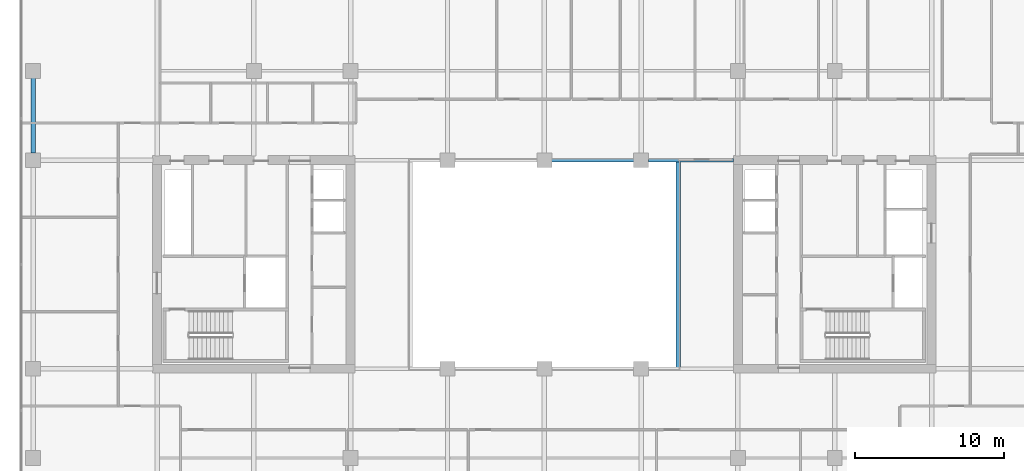
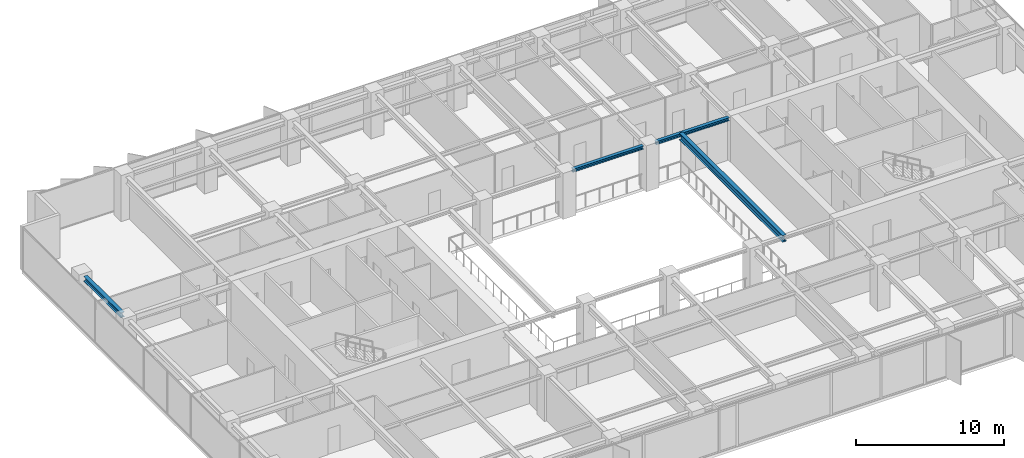
# One storey, part 7 of 22: 4 beams.
"""IFC4 building model written with IfcOpenShell, lengths in metres."""

from ifc_helpers import new_model, si_unit, direction, frame, origin, origin_2d, place, context, subcontext, project, spatial, i_section, extrude, material, material_profile, profile_set, type_object, element, save


model = new_model("IFC4")

# Units and contexts
model_context = context("Model", 3, precision=1e-05, world=origin(), true_north=direction((0.0, 1.0)))
body_context = subcontext(model_context, "Body", "Model", "MODEL_VIEW")
ifc_project = project(units=[si_unit("LENGTHUNIT", "METRE"), si_unit("AREAUNIT", "SQUARE_METRE"), si_unit("VOLUMEUNIT", "CUBIC_METRE"), si_unit("PLANEANGLEUNIT", "RADIAN"), si_unit("MASSUNIT", "GRAM", prefix="KILO")], contexts=[model_context])

# Site, building, storey
site_placement = place(None, origin())
site = spatial("IfcSite", under=ifc_project, at=site_placement, CompositionType="ELEMENT")
building_placement = place(site_placement, origin())
building = spatial("IfcBuilding", under=site, at=building_placement, Name="Putna Gate Headquarters", CompositionType="ELEMENT")
storey_placement = place(building_placement, frame((0.0, 0.0, 186.0)))
storey = spatial("IfcBuildingStorey", under=building, at=storey_placement, Name="L46", CompositionType="ELEMENT", Elevation=186.0)

# Beams
ifc_material = material(Name="Steel S355J2", Category="steel")
ifc_material_profile_1 = material_profile(ifc_material, i_section(OverallWidth=0.260009765625, OverallDepth=0.260009765625, WebThickness=0.010009765625, FlangeThickness=0.017578125, at=origin_2d()), Name="Steel S355J2")
ifc_profile_set_1 = profile_set([ifc_material_profile_1], Name="Steel S355J2")
beam_type_1 = type_object("IfcBeamType", Name="BM-ATRIUM-HEB260", PredefinedType="BEAM", material=ifc_profile_set_1)
beam_1_placement = place(storey_placement, frame((39.488037109375, 33.0, 3.44189453125), z_axis=(1.0, 0.0, 0.0), x_axis=(0.0, 1.0, 0.0)))
element("IfcBeam", 1, at=beam_1_placement, inside=storey, type_object=beam_type_1, Name="L46 Atrium Edge Beam AN3", PredefinedType="BEAM", context=body_context, shape_type="SweptSolid", body=[
    extrude(i_section(OverallWidth=0.260009765625, OverallDepth=0.260009765625, WebThickness=0.010009765625, FlangeThickness=0.017578125, at=origin_2d()), origin(), (0.0, 0.0, 1.0), 5.52392578125),
])
beam_2_placement = place(storey_placement, frame((45.988037109375, 33.0, 3.44189453125), z_axis=(1.0, 0.0, 0.0), x_axis=(0.0, 1.0, 0.0)))
element("IfcBeam", 2, at=beam_2_placement, inside=storey, type_object=beam_type_1, Name="L46 Atrium Edge Beam AN4", PredefinedType="BEAM", context=body_context, shape_type="SweptSolid", body=[
    extrude(i_section(OverallWidth=0.260009765625, OverallDepth=0.260009765625, WebThickness=0.010009765625, FlangeThickness=0.017578125, at=origin_2d()), origin(), (0.0, 0.0, 1.0), 5.72705078125),
])
ifc_material_profile_2 = material_profile(ifc_material, i_section(OverallWidth=0.300048828125, OverallDepth=0.550048828125, WebThickness=0.014892578125, FlangeThickness=0.029052734375, at=origin_2d()), Name="Steel S355J2")
ifc_profile_set_2 = profile_set([ifc_material_profile_2], Name="Steel S355J2")
beam_type_2 = type_object("IfcBeamType", Name="BM-GIRD-Z3-HEB550", PredefinedType="USERDEFINED", material=ifc_profile_set_2)
beam_3_placement = place(storey_placement, frame((48.0, 19.010009765625, 3.297119140625), z_axis=(0.0, 1.0, 0.0), x_axis=(-1.0, 0.0, 0.0)))
element("IfcBeam", 3, at=beam_3_placement, inside=storey, type_object=beam_type_2, Name="L46 Atrium Trim Girder AE", ObjectType="GIRDER", PredefinedType="USERDEFINED", context=body_context, shape_type="SweptSolid", body=[
    extrude(i_section(OverallWidth=0.300048828125, OverallDepth=0.550048828125, WebThickness=0.014892578125, FlangeThickness=0.029052734375, at=origin_2d()), origin(), (0.0, 0.0, 1.0), 13.97998046875),
])
ifc_material_profile_3 = material_profile(ifc_material, i_section(OverallWidth=0.300048828125, OverallDepth=0.39990234375, WebThickness=0.013427734375, FlangeThickness=0.02392578125, at=origin_2d()), Name="Steel S355J2")
ifc_profile_set_3 = profile_set([ifc_material_profile_3], Name="Steel S355J2")
beam_type_3 = type_object("IfcBeamType", Name="BM-SPAN-Z3-HEB400", PredefinedType="SPANDREL", material=ifc_profile_set_3)
beam_4_placement = place(storey_placement, frame((4.679931640625, 33.488037109375, 3.3720703125), z_axis=(0.0, 1.0, 0.0), x_axis=(-1.0, 0.0, 0.0)))
element("IfcBeam", 4, at=beam_4_placement, inside=storey, type_object=beam_type_3, Name="L46 W End Spandrel 3", PredefinedType="SPANDREL", context=body_context, shape_type="SweptSolid", body=[
    extrude(i_section(OverallWidth=0.300048828125, OverallDepth=0.39990234375, WebThickness=0.013427734375, FlangeThickness=0.02392578125, at=origin_2d()), origin(), (0.0, 0.0, 1.0), 5.02392578125),
])

save(model, "model.ifc")
